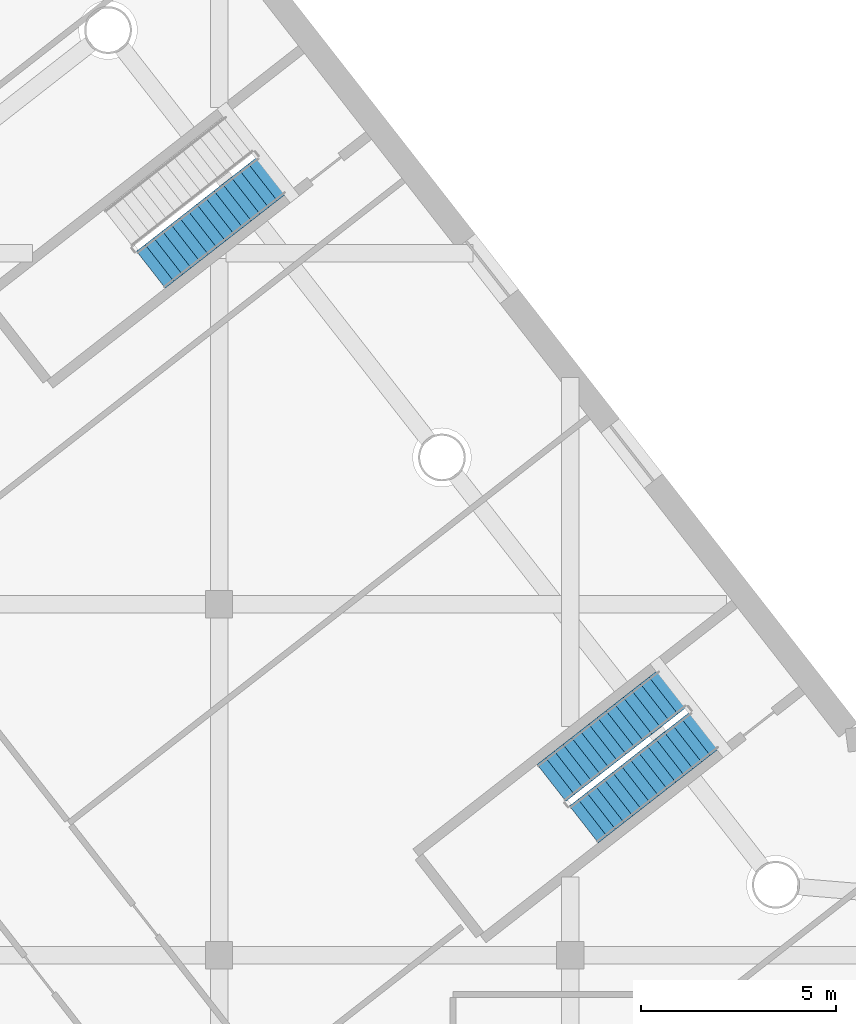
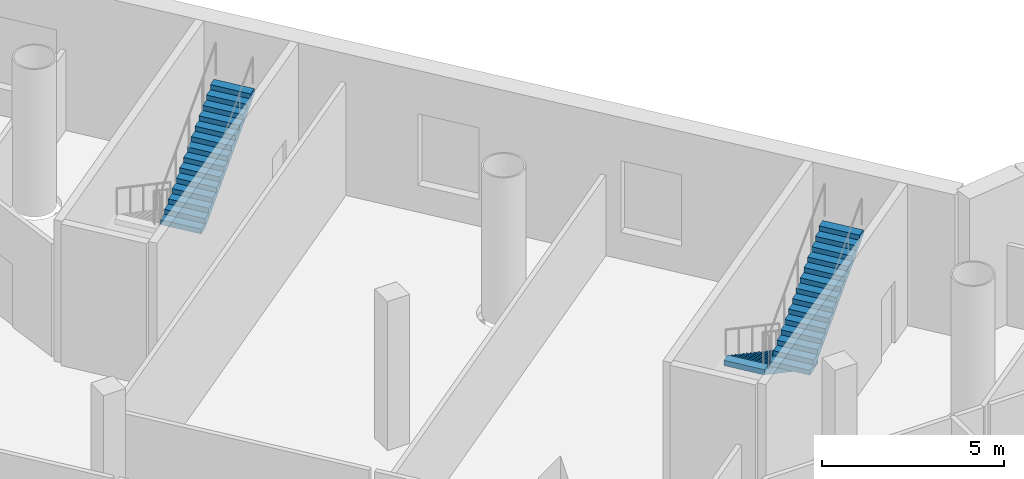
# One storey, part 17 of 22: 3 stair flights, 2 elements without a shape of their own.
"""IFC4 building model written with IfcOpenShell, lengths in metres."""

from ifc_helpers import new_model, si_unit, direction, frame, origin, place, context, subcontext, project, spatial, faceted_brep, material, type_object, element, aggregate, save


model = new_model("IFC4")

# Units and contexts
model_context = context("Model", 3, precision=1e-05, world=origin(), true_north=direction((0.0, 1.0)))
body_context = subcontext(model_context, "Body", "Model", "MODEL_VIEW")
ifc_project = project(units=[si_unit("LENGTHUNIT", "METRE"), si_unit("AREAUNIT", "SQUARE_METRE"), si_unit("VOLUMEUNIT", "CUBIC_METRE"), si_unit("PLANEANGLEUNIT", "RADIAN"), si_unit("MASSUNIT", "GRAM", prefix="KILO")], contexts=[model_context])

# Site, building, storey
site_placement = place(None, origin())
site = spatial("IfcSite", under=ifc_project, at=site_placement, CompositionType="ELEMENT")
building_placement = place(site_placement, origin())
building = spatial("IfcBuilding", under=site, at=building_placement, Name="Tarsis Ring Headquarters", CompositionType="ELEMENT")
storey_placement = place(building_placement, frame((0.0, 0.0, 25.0)))
storey = spatial("IfcBuildingStorey", under=building, at=storey_placement, Name="L04", CompositionType="ELEMENT", Elevation=25.0)

# Stair, stair flights
ifc_material = material(Name="Concrete C40/50", Category="concrete")
stair_type = type_object("IfcStairType", Name="PO-ST", PredefinedType="HALF_TURN_STAIR", material=ifc_material)
stair_1_placement = place(storey_placement, origin())
stair_1 = element("IfcStair", 1, at=stair_1_placement, inside=storey, type_object=stair_type, Name="L04 Podium stair", PredefinedType="HALF_TURN_STAIR")
stair_flight_type = type_object("IfcStairFlightType", Name="PO-STF", PredefinedType="STRAIGHT", material=ifc_material)
stair_flight_1_placement = place(storey_placement, frame((-6.387939453125, 33.8330078125, 0.0), z_axis=(0.0, 0.0, 1.0), x_axis=(-0.788276433435, -0.615321269331, 0.0)))
stair_flight_1 = element("IfcStairFlight", 2, at=stair_flight_1_placement, type_object=stair_flight_type, Name="Stair PS3 flight 1", NumberOfRisers=15, NumberOfTreads=14, PredefinedType="STRAIGHT", RiserHeight=0.166666667, TreadLength=0.28, context=body_context, shape_type="Brep", body=[
    faceted_brep([(0.0, 0.60009765625, 0.0), (0.0, 0.60009765625, 0.166748046875), (0.280029296875, 0.60009765625, 0.166748046875), (0.280029296875, 0.60009765625, 0.333251953125), (0.56005859375, 0.60009765625, 0.333251953125), (0.56005859375, 0.60009765625, 0.5), (0.840087890625, 0.60009765625, 0.5), (0.840087890625, 0.60009765625, 0.666748046875), (1.1201171875, 0.60009765625, 0.666748046875), (1.1201171875, 0.60009765625, 0.833251953125), (1.39990234375, 0.60009765625, 0.833251953125), (1.39990234375, 0.60009765625, 1.0), (1.679931640625, 0.60009765625, 1.0), (1.679931640625, 0.60009765625, 1.166748046875), (1.9599609375, 0.60009765625, 1.166748046875), (1.9599609375, 0.60009765625, 1.333251953125), (2.239990234375, 0.60009765625, 1.333251953125), (2.239990234375, 0.60009765625, 1.5), (2.52001953125, 0.60009765625, 1.5), (2.52001953125, 0.60009765625, 1.666748046875), (2.800048828125, 0.60009765625, 1.666748046875), (2.800048828125, 0.60009765625, 1.833251953125), (3.080078125, 0.60009765625, 1.833251953125), (3.080078125, 0.60009765625, 2.0), (3.360107421875, 0.60009765625, 2.0), (3.360107421875, 0.60009765625, 2.166748046875), (3.639892578125, 0.60009765625, 2.166748046875), (3.639892578125, 0.60009765625, 2.333251953125), (3.919921875, 0.60009765625, 2.333251953125), (3.919921875, 0.60009765625, 2.158935546875), (0.29296875, 0.60009765625, 0.0), (0.29296875, -0.60009765625, 0.0), (3.919921875, -0.60009765625, 2.158935546875), (3.919921875, -0.60009765625, 2.333251953125), (3.639892578125, -0.60009765625, 2.333251953125), (3.639892578125, -0.60009765625, 2.166748046875), (3.360107421875, -0.60009765625, 2.166748046875), (3.360107421875, -0.60009765625, 2.0), (3.080078125, -0.60009765625, 2.0), (3.080078125, -0.60009765625, 1.833251953125), (2.800048828125, -0.60009765625, 1.833251953125), (2.800048828125, -0.60009765625, 1.666748046875), (2.52001953125, -0.60009765625, 1.666748046875), (2.52001953125, -0.60009765625, 1.5), (2.239990234375, -0.60009765625, 1.5), (2.239990234375, -0.60009765625, 1.333251953125), (1.9599609375, -0.60009765625, 1.333251953125), (1.9599609375, -0.60009765625, 1.166748046875), (1.679931640625, -0.60009765625, 1.166748046875), (1.679931640625, -0.60009765625, 1.0), (1.39990234375, -0.60009765625, 1.0), (1.39990234375, -0.60009765625, 0.833251953125), (1.1201171875, -0.60009765625, 0.833251953125), (1.1201171875, -0.60009765625, 0.666748046875), (0.840087890625, -0.60009765625, 0.666748046875), (0.840087890625, -0.60009765625, 0.5), (0.56005859375, -0.60009765625, 0.5), (0.56005859375, -0.60009765625, 0.333251953125), (0.280029296875, -0.60009765625, 0.333251953125), (0.280029296875, -0.60009765625, 0.166748046875), (0.0, -0.60009765625, 0.166748046875), (0.0, -0.60009765625, 0.0), (0.0, -0.300048828125, 0.166748046875), (0.0, -0.300048828125, 0.0), (0.0, 0.0, 0.166748046875), (0.0, 0.0, 0.0), (0.0, 0.300048828125, 0.166748046875), (0.0, 0.300048828125, 0.0), (0.280029296875, -0.300048828125, 0.166748046875), (0.280029296875, 0.0, 0.166748046875), (0.280029296875, 0.300048828125, 0.166748046875), (0.280029296875, -0.300048828125, 0.333251953125), (0.280029296875, 0.0, 0.333251953125), (0.280029296875, 0.300048828125, 0.333251953125), (0.56005859375, -0.300048828125, 0.333251953125), (0.56005859375, 0.0, 0.333251953125), (0.56005859375, 0.300048828125, 0.333251953125), (0.56005859375, -0.300048828125, 0.5), (0.56005859375, 0.0, 0.5), (0.56005859375, 0.300048828125, 0.5), (0.840087890625, -0.300048828125, 0.5), (0.840087890625, 0.0, 0.5), (0.840087890625, 0.300048828125, 0.5), (0.840087890625, -0.300048828125, 0.666748046875), (0.840087890625, 0.0, 0.666748046875), (0.840087890625, 0.300048828125, 0.666748046875), (1.1201171875, -0.300048828125, 0.666748046875), (1.1201171875, 0.0, 0.666748046875), (1.1201171875, 0.300048828125, 0.666748046875), (1.1201171875, -0.300048828125, 0.833251953125), (1.1201171875, 0.0, 0.833251953125), (1.1201171875, 0.300048828125, 0.833251953125), (1.39990234375, -0.300048828125, 0.833251953125), (1.39990234375, 0.0, 0.833251953125), (1.39990234375, 0.300048828125, 0.833251953125), (1.39990234375, -0.300048828125, 1.0), (1.39990234375, 0.0, 1.0), (1.39990234375, 0.300048828125, 1.0), (1.679931640625, -0.300048828125, 1.0), (1.679931640625, 0.0, 1.0), (1.679931640625, 0.300048828125, 1.0), (1.679931640625, -0.300048828125, 1.166748046875), (1.679931640625, 0.0, 1.166748046875), (1.679931640625, 0.300048828125, 1.166748046875), (1.9599609375, -0.300048828125, 1.166748046875), (1.9599609375, 0.0, 1.166748046875), (1.9599609375, 0.300048828125, 1.166748046875), (1.9599609375, -0.300048828125, 1.333251953125), (1.9599609375, 0.0, 1.333251953125), (1.9599609375, 0.300048828125, 1.333251953125), (2.239990234375, -0.300048828125, 1.333251953125), (2.239990234375, 0.0, 1.333251953125), (2.239990234375, 0.300048828125, 1.333251953125), (2.239990234375, -0.300048828125, 1.5), (2.239990234375, 0.0, 1.5), (2.239990234375, 0.300048828125, 1.5), (2.52001953125, -0.300048828125, 1.5), (2.52001953125, 0.0, 1.5), (2.52001953125, 0.300048828125, 1.5), (2.52001953125, -0.300048828125, 1.666748046875), (2.52001953125, 0.0, 1.666748046875), (2.52001953125, 0.300048828125, 1.666748046875), (2.800048828125, -0.300048828125, 1.666748046875), (2.800048828125, 0.0, 1.666748046875), (2.800048828125, 0.300048828125, 1.666748046875), (2.800048828125, -0.300048828125, 1.833251953125), (2.800048828125, 0.0, 1.833251953125), (2.800048828125, 0.300048828125, 1.833251953125), (3.080078125, -0.300048828125, 1.833251953125), (3.080078125, 0.0, 1.833251953125), (3.080078125, 0.300048828125, 1.833251953125), (3.080078125, -0.300048828125, 2.0), (3.080078125, 0.0, 2.0), (3.080078125, 0.300048828125, 2.0), (3.360107421875, -0.300048828125, 2.0), (3.360107421875, 0.0, 2.0), (3.360107421875, 0.300048828125, 2.0), (3.360107421875, -0.300048828125, 2.166748046875), (3.360107421875, 0.0, 2.166748046875), (3.360107421875, 0.300048828125, 2.166748046875), (3.639892578125, -0.300048828125, 2.166748046875), (3.639892578125, 0.0, 2.166748046875), (3.639892578125, 0.300048828125, 2.166748046875), (3.639892578125, -0.300048828125, 2.333251953125), (3.639892578125, 0.0, 2.333251953125), (3.639892578125, 0.300048828125, 2.333251953125), (3.919921875, -0.300048828125, 2.333251953125), (3.919921875, 0.0, 2.333251953125), (3.919921875, 0.300048828125, 2.333251953125), (3.919921875, -0.300048828125, 2.158935546875), (3.919921875, 0.0, 2.158935546875), (3.919921875, 0.300048828125, 2.158935546875), (0.29296875, -0.300048828125, 0.0), (0.29296875, 0.0, 0.0), (0.29296875, 0.300048828125, 0.0)], [[[0, 1, 2, 3, 4, 5, 6, 7, 8, 9, 10, 11, 12, 13, 14, 15, 16, 17, 18, 19, 20, 21, 22, 23, 24, 25, 26, 27, 28, 29, 30]], [[31, 32, 33, 34, 35, 36, 37, 38, 39, 40, 41, 42, 43, 44, 45, 46, 47, 48, 49, 50, 51, 52, 53, 54, 55, 56, 57, 58, 59, 60, 61]], [[61, 60, 62, 63]], [[63, 62, 64, 65]], [[65, 64, 66, 67]], [[67, 66, 1, 0]], [[60, 59, 68, 62]], [[62, 68, 69, 64]], [[64, 69, 70, 66]], [[66, 70, 2, 1]], [[59, 58, 71, 68]], [[68, 71, 72, 69]], [[69, 72, 73, 70]], [[70, 73, 3, 2]], [[58, 57, 74, 71]], [[71, 74, 75, 72]], [[72, 75, 76, 73]], [[73, 76, 4, 3]], [[57, 56, 77, 74]], [[74, 77, 78, 75]], [[75, 78, 79, 76]], [[76, 79, 5, 4]], [[56, 55, 80, 77]], [[77, 80, 81, 78]], [[78, 81, 82, 79]], [[79, 82, 6, 5]], [[55, 54, 83, 80]], [[80, 83, 84, 81]], [[81, 84, 85, 82]], [[82, 85, 7, 6]], [[54, 53, 86, 83]], [[83, 86, 87, 84]], [[84, 87, 88, 85]], [[85, 88, 8, 7]], [[53, 52, 89, 86]], [[86, 89, 90, 87]], [[87, 90, 91, 88]], [[88, 91, 9, 8]], [[52, 51, 92, 89]], [[89, 92, 93, 90]], [[90, 93, 94, 91]], [[91, 94, 10, 9]], [[51, 50, 95, 92]], [[92, 95, 96, 93]], [[93, 96, 97, 94]], [[94, 97, 11, 10]], [[50, 49, 98, 95]], [[95, 98, 99, 96]], [[96, 99, 100, 97]], [[97, 100, 12, 11]], [[49, 48, 101, 98]], [[98, 101, 102, 99]], [[99, 102, 103, 100]], [[100, 103, 13, 12]], [[48, 47, 104, 101]], [[101, 104, 105, 102]], [[102, 105, 106, 103]], [[103, 106, 14, 13]], [[47, 46, 107, 104]], [[104, 107, 108, 105]], [[105, 108, 109, 106]], [[106, 109, 15, 14]], [[46, 45, 110, 107]], [[107, 110, 111, 108]], [[108, 111, 112, 109]], [[109, 112, 16, 15]], [[45, 44, 113, 110]], [[110, 113, 114, 111]], [[111, 114, 115, 112]], [[112, 115, 17, 16]], [[44, 43, 116, 113]], [[113, 116, 117, 114]], [[114, 117, 118, 115]], [[115, 118, 18, 17]], [[43, 42, 119, 116]], [[116, 119, 120, 117]], [[117, 120, 121, 118]], [[118, 121, 19, 18]], [[42, 41, 122, 119]], [[119, 122, 123, 120]], [[120, 123, 124, 121]], [[121, 124, 20, 19]], [[41, 40, 125, 122]], [[122, 125, 126, 123]], [[123, 126, 127, 124]], [[124, 127, 21, 20]], [[40, 39, 128, 125]], [[125, 128, 129, 126]], [[126, 129, 130, 127]], [[127, 130, 22, 21]], [[39, 38, 131, 128]], [[128, 131, 132, 129]], [[129, 132, 133, 130]], [[130, 133, 23, 22]], [[38, 37, 134, 131]], [[131, 134, 135, 132]], [[132, 135, 136, 133]], [[133, 136, 24, 23]], [[37, 36, 137, 134]], [[134, 137, 138, 135]], [[135, 138, 139, 136]], [[136, 139, 25, 24]], [[36, 35, 140, 137]], [[137, 140, 141, 138]], [[138, 141, 142, 139]], [[139, 142, 26, 25]], [[35, 34, 143, 140]], [[140, 143, 144, 141]], [[141, 144, 145, 142]], [[142, 145, 27, 26]], [[34, 33, 146, 143]], [[143, 146, 147, 144]], [[144, 147, 148, 145]], [[145, 148, 28, 27]], [[33, 32, 149, 146]], [[146, 149, 150, 147]], [[147, 150, 151, 148]], [[148, 151, 29, 28]], [[32, 31, 152, 149]], [[149, 152, 153, 150]], [[150, 153, 154, 151]], [[151, 154, 30, 29]], [[31, 61, 63, 152]], [[152, 63, 65, 153]], [[153, 65, 67, 154]], [[154, 67, 0, 30]]]),
])
stair_flight_2_placement = place(storey_placement, frame((-8.647216796875, 30.35693359375, 2.5), z_axis=(0.0, 0.0, 1.0), x_axis=(0.788276433435, 0.615321269331, 0.0)))
stair_flight_2 = element("IfcStairFlight", 3, at=stair_flight_2_placement, type_object=stair_flight_type, Name="Stair PS3 flight 2", NumberOfRisers=15, NumberOfTreads=14, PredefinedType="STRAIGHT", RiserHeight=0.166666667, TreadLength=0.28, context=body_context, shape_type="Brep", body=[
    faceted_brep([(0.0, 0.60009765625, 0.0), (0.0, 0.60009765625, 0.166748046875), (0.280029296875, 0.60009765625, 0.166748046875), (0.280029296875, 0.60009765625, 0.333251953125), (0.56005859375, 0.60009765625, 0.333251953125), (0.56005859375, 0.60009765625, 0.5), (0.840087890625, 0.60009765625, 0.5), (0.840087890625, 0.60009765625, 0.666748046875), (1.1201171875, 0.60009765625, 0.666748046875), (1.1201171875, 0.60009765625, 0.833251953125), (1.39990234375, 0.60009765625, 0.833251953125), (1.39990234375, 0.60009765625, 1.0), (1.679931640625, 0.60009765625, 1.0), (1.679931640625, 0.60009765625, 1.166748046875), (1.9599609375, 0.60009765625, 1.166748046875), (1.9599609375, 0.60009765625, 1.333251953125), (2.239990234375, 0.60009765625, 1.333251953125), (2.239990234375, 0.60009765625, 1.5), (2.52001953125, 0.60009765625, 1.5), (2.52001953125, 0.60009765625, 1.666748046875), (2.800048828125, 0.60009765625, 1.666748046875), (2.800048828125, 0.60009765625, 1.833251953125), (3.080078125, 0.60009765625, 1.833251953125), (3.080078125, 0.60009765625, 2.0), (3.360107421875, 0.60009765625, 2.0), (3.360107421875, 0.60009765625, 2.166748046875), (3.639892578125, 0.60009765625, 2.166748046875), (3.639892578125, 0.60009765625, 2.333251953125), (3.919921875, 0.60009765625, 2.333251953125), (3.919921875, 0.60009765625, 2.158935546875), (0.29296875, 0.60009765625, 0.0), (0.29296875, -0.60009765625, 0.0), (3.919921875, -0.60009765625, 2.158935546875), (3.919921875, -0.60009765625, 2.333251953125), (3.639892578125, -0.60009765625, 2.333251953125), (3.639892578125, -0.60009765625, 2.166748046875), (3.360107421875, -0.60009765625, 2.166748046875), (3.360107421875, -0.60009765625, 2.0), (3.080078125, -0.60009765625, 2.0), (3.080078125, -0.60009765625, 1.833251953125), (2.800048828125, -0.60009765625, 1.833251953125), (2.800048828125, -0.60009765625, 1.666748046875), (2.52001953125, -0.60009765625, 1.666748046875), (2.52001953125, -0.60009765625, 1.5), (2.239990234375, -0.60009765625, 1.5), (2.239990234375, -0.60009765625, 1.333251953125), (1.9599609375, -0.60009765625, 1.333251953125), (1.9599609375, -0.60009765625, 1.166748046875), (1.679931640625, -0.60009765625, 1.166748046875), (1.679931640625, -0.60009765625, 1.0), (1.39990234375, -0.60009765625, 1.0), (1.39990234375, -0.60009765625, 0.833251953125), (1.1201171875, -0.60009765625, 0.833251953125), (1.1201171875, -0.60009765625, 0.666748046875), (0.840087890625, -0.60009765625, 0.666748046875), (0.840087890625, -0.60009765625, 0.5), (0.56005859375, -0.60009765625, 0.5), (0.56005859375, -0.60009765625, 0.333251953125), (0.280029296875, -0.60009765625, 0.333251953125), (0.280029296875, -0.60009765625, 0.166748046875), (0.0, -0.60009765625, 0.166748046875), (0.0, -0.60009765625, 0.0), (0.0, -0.300048828125, 0.166748046875), (0.0, -0.300048828125, 0.0), (0.0, 0.0, 0.166748046875), (0.0, 0.0, 0.0), (0.0, 0.300048828125, 0.166748046875), (0.0, 0.300048828125, 0.0), (0.280029296875, -0.300048828125, 0.166748046875), (0.280029296875, 0.0, 0.166748046875), (0.280029296875, 0.300048828125, 0.166748046875), (0.280029296875, -0.300048828125, 0.333251953125), (0.280029296875, 0.0, 0.333251953125), (0.280029296875, 0.300048828125, 0.333251953125), (0.56005859375, -0.300048828125, 0.333251953125), (0.56005859375, 0.0, 0.333251953125), (0.56005859375, 0.300048828125, 0.333251953125), (0.56005859375, -0.300048828125, 0.5), (0.56005859375, 0.0, 0.5), (0.56005859375, 0.300048828125, 0.5), (0.840087890625, -0.300048828125, 0.5), (0.840087890625, 0.0, 0.5), (0.840087890625, 0.300048828125, 0.5), (0.840087890625, -0.300048828125, 0.666748046875), (0.840087890625, 0.0, 0.666748046875), (0.840087890625, 0.300048828125, 0.666748046875), (1.1201171875, -0.300048828125, 0.666748046875), (1.1201171875, 0.0, 0.666748046875), (1.1201171875, 0.300048828125, 0.666748046875), (1.1201171875, -0.300048828125, 0.833251953125), (1.1201171875, 0.0, 0.833251953125), (1.1201171875, 0.300048828125, 0.833251953125), (1.39990234375, -0.300048828125, 0.833251953125), (1.39990234375, 0.0, 0.833251953125), (1.39990234375, 0.300048828125, 0.833251953125), (1.39990234375, -0.300048828125, 1.0), (1.39990234375, 0.0, 1.0), (1.39990234375, 0.300048828125, 1.0), (1.679931640625, -0.300048828125, 1.0), (1.679931640625, 0.0, 1.0), (1.679931640625, 0.300048828125, 1.0), (1.679931640625, -0.300048828125, 1.166748046875), (1.679931640625, 0.0, 1.166748046875), (1.679931640625, 0.300048828125, 1.166748046875), (1.9599609375, -0.300048828125, 1.166748046875), (1.9599609375, 0.0, 1.166748046875), (1.9599609375, 0.300048828125, 1.166748046875), (1.9599609375, -0.300048828125, 1.333251953125), (1.9599609375, 0.0, 1.333251953125), (1.9599609375, 0.300048828125, 1.333251953125), (2.239990234375, -0.300048828125, 1.333251953125), (2.239990234375, 0.0, 1.333251953125), (2.239990234375, 0.300048828125, 1.333251953125), (2.239990234375, -0.300048828125, 1.5), (2.239990234375, 0.0, 1.5), (2.239990234375, 0.300048828125, 1.5), (2.52001953125, -0.300048828125, 1.5), (2.52001953125, 0.0, 1.5), (2.52001953125, 0.300048828125, 1.5), (2.52001953125, -0.300048828125, 1.666748046875), (2.52001953125, 0.0, 1.666748046875), (2.52001953125, 0.300048828125, 1.666748046875), (2.800048828125, -0.300048828125, 1.666748046875), (2.800048828125, 0.0, 1.666748046875), (2.800048828125, 0.300048828125, 1.666748046875), (2.800048828125, -0.300048828125, 1.833251953125), (2.800048828125, 0.0, 1.833251953125), (2.800048828125, 0.300048828125, 1.833251953125), (3.080078125, -0.300048828125, 1.833251953125), (3.080078125, 0.0, 1.833251953125), (3.080078125, 0.300048828125, 1.833251953125), (3.080078125, -0.300048828125, 2.0), (3.080078125, 0.0, 2.0), (3.080078125, 0.300048828125, 2.0), (3.360107421875, -0.300048828125, 2.0), (3.360107421875, 0.0, 2.0), (3.360107421875, 0.300048828125, 2.0), (3.360107421875, -0.300048828125, 2.166748046875), (3.360107421875, 0.0, 2.166748046875), (3.360107421875, 0.300048828125, 2.166748046875), (3.639892578125, -0.300048828125, 2.166748046875), (3.639892578125, 0.0, 2.166748046875), (3.639892578125, 0.300048828125, 2.166748046875), (3.639892578125, -0.300048828125, 2.333251953125), (3.639892578125, 0.0, 2.333251953125), (3.639892578125, 0.300048828125, 2.333251953125), (3.919921875, -0.300048828125, 2.333251953125), (3.919921875, 0.0, 2.333251953125), (3.919921875, 0.300048828125, 2.333251953125), (3.919921875, -0.300048828125, 2.158935546875), (3.919921875, 0.0, 2.158935546875), (3.919921875, 0.300048828125, 2.158935546875), (0.29296875, -0.300048828125, 0.0), (0.29296875, 0.0, 0.0), (0.29296875, 0.300048828125, 0.0)], [[[0, 1, 2, 3, 4, 5, 6, 7, 8, 9, 10, 11, 12, 13, 14, 15, 16, 17, 18, 19, 20, 21, 22, 23, 24, 25, 26, 27, 28, 29, 30]], [[31, 32, 33, 34, 35, 36, 37, 38, 39, 40, 41, 42, 43, 44, 45, 46, 47, 48, 49, 50, 51, 52, 53, 54, 55, 56, 57, 58, 59, 60, 61]], [[61, 60, 62, 63]], [[63, 62, 64, 65]], [[65, 64, 66, 67]], [[67, 66, 1, 0]], [[60, 59, 68, 62]], [[62, 68, 69, 64]], [[64, 69, 70, 66]], [[66, 70, 2, 1]], [[59, 58, 71, 68]], [[68, 71, 72, 69]], [[69, 72, 73, 70]], [[70, 73, 3, 2]], [[58, 57, 74, 71]], [[71, 74, 75, 72]], [[72, 75, 76, 73]], [[73, 76, 4, 3]], [[57, 56, 77, 74]], [[74, 77, 78, 75]], [[75, 78, 79, 76]], [[76, 79, 5, 4]], [[56, 55, 80, 77]], [[77, 80, 81, 78]], [[78, 81, 82, 79]], [[79, 82, 6, 5]], [[55, 54, 83, 80]], [[80, 83, 84, 81]], [[81, 84, 85, 82]], [[82, 85, 7, 6]], [[54, 53, 86, 83]], [[83, 86, 87, 84]], [[84, 87, 88, 85]], [[85, 88, 8, 7]], [[53, 52, 89, 86]], [[86, 89, 90, 87]], [[87, 90, 91, 88]], [[88, 91, 9, 8]], [[52, 51, 92, 89]], [[89, 92, 93, 90]], [[90, 93, 94, 91]], [[91, 94, 10, 9]], [[51, 50, 95, 92]], [[92, 95, 96, 93]], [[93, 96, 97, 94]], [[94, 97, 11, 10]], [[50, 49, 98, 95]], [[95, 98, 99, 96]], [[96, 99, 100, 97]], [[97, 100, 12, 11]], [[49, 48, 101, 98]], [[98, 101, 102, 99]], [[99, 102, 103, 100]], [[100, 103, 13, 12]], [[48, 47, 104, 101]], [[101, 104, 105, 102]], [[102, 105, 106, 103]], [[103, 106, 14, 13]], [[47, 46, 107, 104]], [[104, 107, 108, 105]], [[105, 108, 109, 106]], [[106, 109, 15, 14]], [[46, 45, 110, 107]], [[107, 110, 111, 108]], [[108, 111, 112, 109]], [[109, 112, 16, 15]], [[45, 44, 113, 110]], [[110, 113, 114, 111]], [[111, 114, 115, 112]], [[112, 115, 17, 16]], [[44, 43, 116, 113]], [[113, 116, 117, 114]], [[114, 117, 118, 115]], [[115, 118, 18, 17]], [[43, 42, 119, 116]], [[116, 119, 120, 117]], [[117, 120, 121, 118]], [[118, 121, 19, 18]], [[42, 41, 122, 119]], [[119, 122, 123, 120]], [[120, 123, 124, 121]], [[121, 124, 20, 19]], [[41, 40, 125, 122]], [[122, 125, 126, 123]], [[123, 126, 127, 124]], [[124, 127, 21, 20]], [[40, 39, 128, 125]], [[125, 128, 129, 126]], [[126, 129, 130, 127]], [[127, 130, 22, 21]], [[39, 38, 131, 128]], [[128, 131, 132, 129]], [[129, 132, 133, 130]], [[130, 133, 23, 22]], [[38, 37, 134, 131]], [[131, 134, 135, 132]], [[132, 135, 136, 133]], [[133, 136, 24, 23]], [[37, 36, 137, 134]], [[134, 137, 138, 135]], [[135, 138, 139, 136]], [[136, 139, 25, 24]], [[36, 35, 140, 137]], [[137, 140, 141, 138]], [[138, 141, 142, 139]], [[139, 142, 26, 25]], [[35, 34, 143, 140]], [[140, 143, 144, 141]], [[141, 144, 145, 142]], [[142, 145, 27, 26]], [[34, 33, 146, 143]], [[143, 146, 147, 144]], [[144, 147, 148, 145]], [[145, 148, 28, 27]], [[33, 32, 149, 146]], [[146, 149, 150, 147]], [[147, 150, 151, 148]], [[148, 151, 29, 28]], [[32, 31, 152, 149]], [[149, 152, 153, 150]], [[150, 153, 154, 151]], [[151, 154, 30, 29]], [[31, 61, 63, 152]], [[152, 63, 65, 153]], [[153, 65, 67, 154]], [[154, 67, 0, 30]]]),
])
aggregate(stair_1, [stair_flight_1, stair_flight_2])

# Stair, stair flight
stair_2_placement = place(storey_placement, origin())
stair_2 = element("IfcStair", 4, at=stair_2_placement, inside=storey, type_object=stair_type, Name="L04 Podium stair", PredefinedType="HALF_TURN_STAIR")
stair_flight_3_placement = place(storey_placement, frame((-19.7470703125, 44.576904296875, 2.5), z_axis=(0.0, 0.0, 1.0), x_axis=(0.788276433435, 0.615321269331, 0.0)))
stair_flight_3 = element("IfcStairFlight", 5, at=stair_flight_3_placement, type_object=stair_flight_type, Name="Stair PS4 flight 2", NumberOfRisers=15, NumberOfTreads=14, PredefinedType="STRAIGHT", RiserHeight=0.166666667, TreadLength=0.28, context=body_context, shape_type="Brep", body=[
    faceted_brep([(0.0, 0.60009765625, 0.0), (0.0, 0.60009765625, 0.166748046875), (0.280029296875, 0.60009765625, 0.166748046875), (0.280029296875, 0.60009765625, 0.333251953125), (0.56005859375, 0.60009765625, 0.333251953125), (0.56005859375, 0.60009765625, 0.5), (0.840087890625, 0.60009765625, 0.5), (0.840087890625, 0.60009765625, 0.666748046875), (1.1201171875, 0.60009765625, 0.666748046875), (1.1201171875, 0.60009765625, 0.833251953125), (1.39990234375, 0.60009765625, 0.833251953125), (1.39990234375, 0.60009765625, 1.0), (1.679931640625, 0.60009765625, 1.0), (1.679931640625, 0.60009765625, 1.166748046875), (1.9599609375, 0.60009765625, 1.166748046875), (1.9599609375, 0.60009765625, 1.333251953125), (2.239990234375, 0.60009765625, 1.333251953125), (2.239990234375, 0.60009765625, 1.5), (2.52001953125, 0.60009765625, 1.5), (2.52001953125, 0.60009765625, 1.666748046875), (2.800048828125, 0.60009765625, 1.666748046875), (2.800048828125, 0.60009765625, 1.833251953125), (3.080078125, 0.60009765625, 1.833251953125), (3.080078125, 0.60009765625, 2.0), (3.360107421875, 0.60009765625, 2.0), (3.360107421875, 0.60009765625, 2.166748046875), (3.639892578125, 0.60009765625, 2.166748046875), (3.639892578125, 0.60009765625, 2.333251953125), (3.919921875, 0.60009765625, 2.333251953125), (3.919921875, 0.60009765625, 2.158935546875), (0.29296875, 0.60009765625, 0.0), (0.29296875, -0.60009765625, 0.0), (3.919921875, -0.60009765625, 2.158935546875), (3.919921875, -0.60009765625, 2.333251953125), (3.639892578125, -0.60009765625, 2.333251953125), (3.639892578125, -0.60009765625, 2.166748046875), (3.360107421875, -0.60009765625, 2.166748046875), (3.360107421875, -0.60009765625, 2.0), (3.080078125, -0.60009765625, 2.0), (3.080078125, -0.60009765625, 1.833251953125), (2.800048828125, -0.60009765625, 1.833251953125), (2.800048828125, -0.60009765625, 1.666748046875), (2.52001953125, -0.60009765625, 1.666748046875), (2.52001953125, -0.60009765625, 1.5), (2.239990234375, -0.60009765625, 1.5), (2.239990234375, -0.60009765625, 1.333251953125), (1.9599609375, -0.60009765625, 1.333251953125), (1.9599609375, -0.60009765625, 1.166748046875), (1.679931640625, -0.60009765625, 1.166748046875), (1.679931640625, -0.60009765625, 1.0), (1.39990234375, -0.60009765625, 1.0), (1.39990234375, -0.60009765625, 0.833251953125), (1.1201171875, -0.60009765625, 0.833251953125), (1.1201171875, -0.60009765625, 0.666748046875), (0.840087890625, -0.60009765625, 0.666748046875), (0.840087890625, -0.60009765625, 0.5), (0.56005859375, -0.60009765625, 0.5), (0.56005859375, -0.60009765625, 0.333251953125), (0.280029296875, -0.60009765625, 0.333251953125), (0.280029296875, -0.60009765625, 0.166748046875), (0.0, -0.60009765625, 0.166748046875), (0.0, -0.60009765625, 0.0), (0.0, -0.300048828125, 0.166748046875), (0.0, -0.300048828125, 0.0), (0.0, 0.0, 0.166748046875), (0.0, 0.0, 0.0), (0.0, 0.300048828125, 0.166748046875), (0.0, 0.300048828125, 0.0), (0.280029296875, -0.300048828125, 0.166748046875), (0.280029296875, 0.0, 0.166748046875), (0.280029296875, 0.300048828125, 0.166748046875), (0.280029296875, -0.300048828125, 0.333251953125), (0.280029296875, 0.0, 0.333251953125), (0.280029296875, 0.300048828125, 0.333251953125), (0.56005859375, -0.300048828125, 0.333251953125), (0.56005859375, 0.0, 0.333251953125), (0.56005859375, 0.300048828125, 0.333251953125), (0.56005859375, -0.300048828125, 0.5), (0.56005859375, 0.0, 0.5), (0.56005859375, 0.300048828125, 0.5), (0.840087890625, -0.300048828125, 0.5), (0.840087890625, 0.0, 0.5), (0.840087890625, 0.300048828125, 0.5), (0.840087890625, -0.300048828125, 0.666748046875), (0.840087890625, 0.0, 0.666748046875), (0.840087890625, 0.300048828125, 0.666748046875), (1.1201171875, -0.300048828125, 0.666748046875), (1.1201171875, 0.0, 0.666748046875), (1.1201171875, 0.300048828125, 0.666748046875), (1.1201171875, -0.300048828125, 0.833251953125), (1.1201171875, 0.0, 0.833251953125), (1.1201171875, 0.300048828125, 0.833251953125), (1.39990234375, -0.300048828125, 0.833251953125), (1.39990234375, 0.0, 0.833251953125), (1.39990234375, 0.300048828125, 0.833251953125), (1.39990234375, -0.300048828125, 1.0), (1.39990234375, 0.0, 1.0), (1.39990234375, 0.300048828125, 1.0), (1.679931640625, -0.300048828125, 1.0), (1.679931640625, 0.0, 1.0), (1.679931640625, 0.300048828125, 1.0), (1.679931640625, -0.300048828125, 1.166748046875), (1.679931640625, 0.0, 1.166748046875), (1.679931640625, 0.300048828125, 1.166748046875), (1.9599609375, -0.300048828125, 1.166748046875), (1.9599609375, 0.0, 1.166748046875), (1.9599609375, 0.300048828125, 1.166748046875), (1.9599609375, -0.300048828125, 1.333251953125), (1.9599609375, 0.0, 1.333251953125), (1.9599609375, 0.300048828125, 1.333251953125), (2.239990234375, -0.300048828125, 1.333251953125), (2.239990234375, 0.0, 1.333251953125), (2.239990234375, 0.300048828125, 1.333251953125), (2.239990234375, -0.300048828125, 1.5), (2.239990234375, 0.0, 1.5), (2.239990234375, 0.300048828125, 1.5), (2.52001953125, -0.300048828125, 1.5), (2.52001953125, 0.0, 1.5), (2.52001953125, 0.300048828125, 1.5), (2.52001953125, -0.300048828125, 1.666748046875), (2.52001953125, 0.0, 1.666748046875), (2.52001953125, 0.300048828125, 1.666748046875), (2.800048828125, -0.300048828125, 1.666748046875), (2.800048828125, 0.0, 1.666748046875), (2.800048828125, 0.300048828125, 1.666748046875), (2.800048828125, -0.300048828125, 1.833251953125), (2.800048828125, 0.0, 1.833251953125), (2.800048828125, 0.300048828125, 1.833251953125), (3.080078125, -0.300048828125, 1.833251953125), (3.080078125, 0.0, 1.833251953125), (3.080078125, 0.300048828125, 1.833251953125), (3.080078125, -0.300048828125, 2.0), (3.080078125, 0.0, 2.0), (3.080078125, 0.300048828125, 2.0), (3.360107421875, -0.300048828125, 2.0), (3.360107421875, 0.0, 2.0), (3.360107421875, 0.300048828125, 2.0), (3.360107421875, -0.300048828125, 2.166748046875), (3.360107421875, 0.0, 2.166748046875), (3.360107421875, 0.300048828125, 2.166748046875), (3.639892578125, -0.300048828125, 2.166748046875), (3.639892578125, 0.0, 2.166748046875), (3.639892578125, 0.300048828125, 2.166748046875), (3.639892578125, -0.300048828125, 2.333251953125), (3.639892578125, 0.0, 2.333251953125), (3.639892578125, 0.300048828125, 2.333251953125), (3.919921875, -0.300048828125, 2.333251953125), (3.919921875, 0.0, 2.333251953125), (3.919921875, 0.300048828125, 2.333251953125), (3.919921875, -0.300048828125, 2.158935546875), (3.919921875, 0.0, 2.158935546875), (3.919921875, 0.300048828125, 2.158935546875), (0.29296875, -0.300048828125, 0.0), (0.29296875, 0.0, 0.0), (0.29296875, 0.300048828125, 0.0)], [[[0, 1, 2, 3, 4, 5, 6, 7, 8, 9, 10, 11, 12, 13, 14, 15, 16, 17, 18, 19, 20, 21, 22, 23, 24, 25, 26, 27, 28, 29, 30]], [[31, 32, 33, 34, 35, 36, 37, 38, 39, 40, 41, 42, 43, 44, 45, 46, 47, 48, 49, 50, 51, 52, 53, 54, 55, 56, 57, 58, 59, 60, 61]], [[61, 60, 62, 63]], [[63, 62, 64, 65]], [[65, 64, 66, 67]], [[67, 66, 1, 0]], [[60, 59, 68, 62]], [[62, 68, 69, 64]], [[64, 69, 70, 66]], [[66, 70, 2, 1]], [[59, 58, 71, 68]], [[68, 71, 72, 69]], [[69, 72, 73, 70]], [[70, 73, 3, 2]], [[58, 57, 74, 71]], [[71, 74, 75, 72]], [[72, 75, 76, 73]], [[73, 76, 4, 3]], [[57, 56, 77, 74]], [[74, 77, 78, 75]], [[75, 78, 79, 76]], [[76, 79, 5, 4]], [[56, 55, 80, 77]], [[77, 80, 81, 78]], [[78, 81, 82, 79]], [[79, 82, 6, 5]], [[55, 54, 83, 80]], [[80, 83, 84, 81]], [[81, 84, 85, 82]], [[82, 85, 7, 6]], [[54, 53, 86, 83]], [[83, 86, 87, 84]], [[84, 87, 88, 85]], [[85, 88, 8, 7]], [[53, 52, 89, 86]], [[86, 89, 90, 87]], [[87, 90, 91, 88]], [[88, 91, 9, 8]], [[52, 51, 92, 89]], [[89, 92, 93, 90]], [[90, 93, 94, 91]], [[91, 94, 10, 9]], [[51, 50, 95, 92]], [[92, 95, 96, 93]], [[93, 96, 97, 94]], [[94, 97, 11, 10]], [[50, 49, 98, 95]], [[95, 98, 99, 96]], [[96, 99, 100, 97]], [[97, 100, 12, 11]], [[49, 48, 101, 98]], [[98, 101, 102, 99]], [[99, 102, 103, 100]], [[100, 103, 13, 12]], [[48, 47, 104, 101]], [[101, 104, 105, 102]], [[102, 105, 106, 103]], [[103, 106, 14, 13]], [[47, 46, 107, 104]], [[104, 107, 108, 105]], [[105, 108, 109, 106]], [[106, 109, 15, 14]], [[46, 45, 110, 107]], [[107, 110, 111, 108]], [[108, 111, 112, 109]], [[109, 112, 16, 15]], [[45, 44, 113, 110]], [[110, 113, 114, 111]], [[111, 114, 115, 112]], [[112, 115, 17, 16]], [[44, 43, 116, 113]], [[113, 116, 117, 114]], [[114, 117, 118, 115]], [[115, 118, 18, 17]], [[43, 42, 119, 116]], [[116, 119, 120, 117]], [[117, 120, 121, 118]], [[118, 121, 19, 18]], [[42, 41, 122, 119]], [[119, 122, 123, 120]], [[120, 123, 124, 121]], [[121, 124, 20, 19]], [[41, 40, 125, 122]], [[122, 125, 126, 123]], [[123, 126, 127, 124]], [[124, 127, 21, 20]], [[40, 39, 128, 125]], [[125, 128, 129, 126]], [[126, 129, 130, 127]], [[127, 130, 22, 21]], [[39, 38, 131, 128]], [[128, 131, 132, 129]], [[129, 132, 133, 130]], [[130, 133, 23, 22]], [[38, 37, 134, 131]], [[131, 134, 135, 132]], [[132, 135, 136, 133]], [[133, 136, 24, 23]], [[37, 36, 137, 134]], [[134, 137, 138, 135]], [[135, 138, 139, 136]], [[136, 139, 25, 24]], [[36, 35, 140, 137]], [[137, 140, 141, 138]], [[138, 141, 142, 139]], [[139, 142, 26, 25]], [[35, 34, 143, 140]], [[140, 143, 144, 141]], [[141, 144, 145, 142]], [[142, 145, 27, 26]], [[34, 33, 146, 143]], [[143, 146, 147, 144]], [[144, 147, 148, 145]], [[145, 148, 28, 27]], [[33, 32, 149, 146]], [[146, 149, 150, 147]], [[147, 150, 151, 148]], [[148, 151, 29, 28]], [[32, 31, 152, 149]], [[149, 152, 153, 150]], [[150, 153, 154, 151]], [[151, 154, 30, 29]], [[31, 61, 63, 152]], [[152, 63, 65, 153]], [[153, 65, 67, 154]], [[154, 67, 0, 30]]]),
])
aggregate(stair_2, [stair_flight_3])

save(model, "model.ifc")
